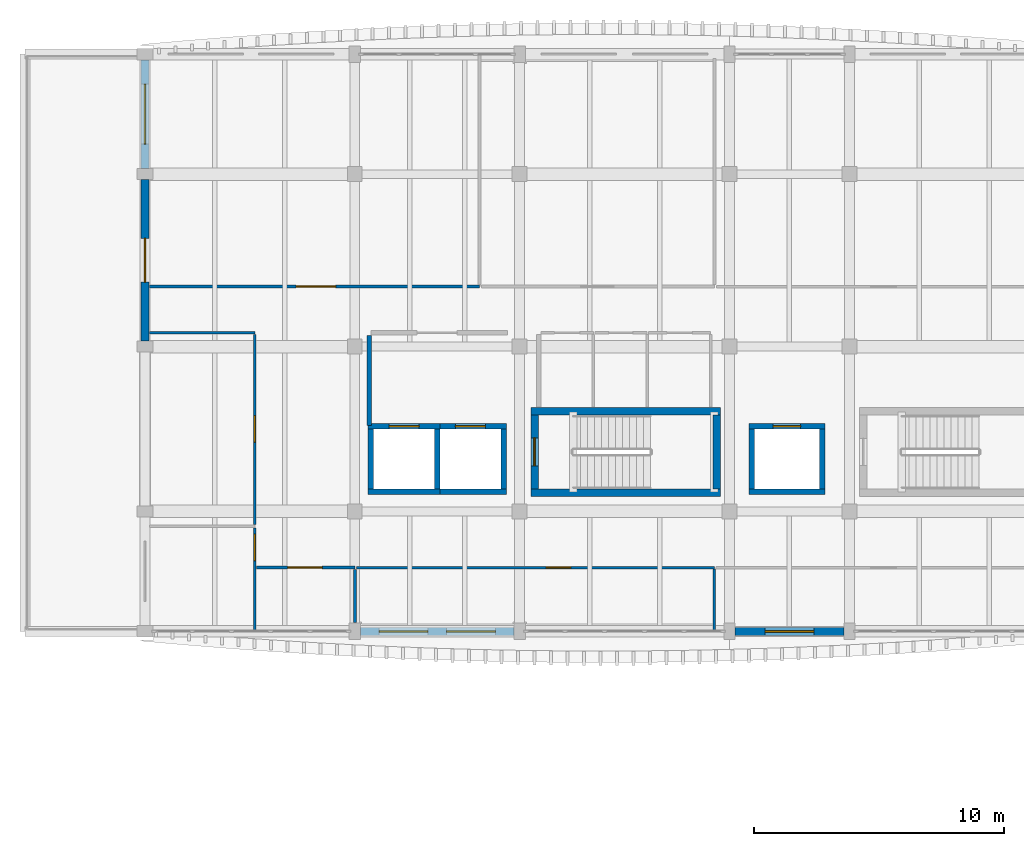
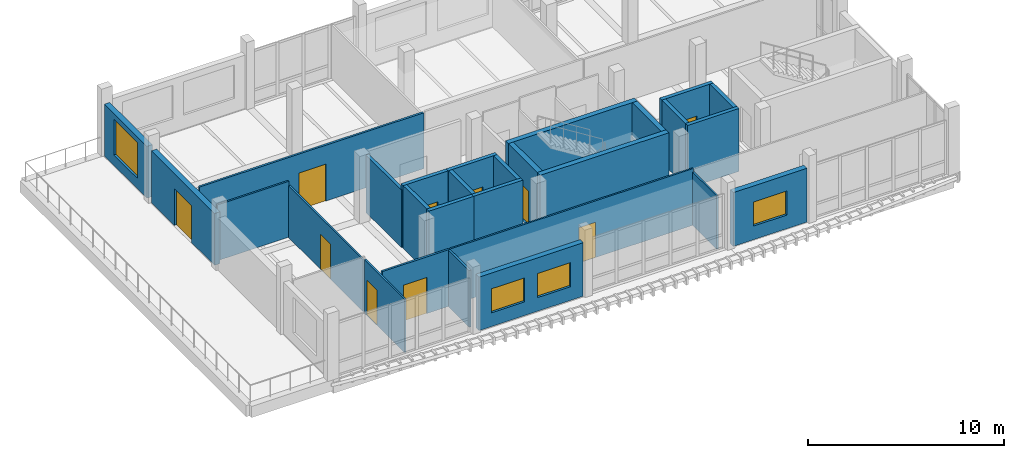
# One storey, part 10 of 20: 28 walls, 10 doors, 4 windows, 14 openings.
"""IFC4 building model written with IfcOpenShell, lengths in metres."""

from ifc_helpers import new_model, si_unit, direction, frame, frame_2d, origin, place, context, subcontext, project, spatial, rectangle, extrude, material, layer, layer_set, type_object, element, fill, save


model = new_model("IFC4")

# Units and contexts
model_context = context("Model", 3, precision=1e-05, world=origin(), true_north=direction((0.0, 1.0)))
body_context = subcontext(model_context, "Body", "Model", "MODEL_VIEW")
ifc_project = project(units=[si_unit("LENGTHUNIT", "METRE"), si_unit("AREAUNIT", "SQUARE_METRE"), si_unit("VOLUMEUNIT", "CUBIC_METRE"), si_unit("PLANEANGLEUNIT", "RADIAN"), si_unit("MASSUNIT", "GRAM", prefix="KILO")], contexts=[model_context])

# Site, building, storey
site_placement = place(None, origin())
site = spatial("IfcSite", under=ifc_project, at=site_placement, CompositionType="ELEMENT")
building_placement = place(site_placement, origin())
building = spatial("IfcBuilding", under=site, at=building_placement, Name="Dornvale Research Institute", CompositionType="ELEMENT")
storey_placement = place(building_placement, frame((0.0, 0.0, 34.199951171875)))
storey = spatial("IfcBuildingStorey", under=building, at=storey_placement, Name="L07", CompositionType="ELEMENT", Elevation=34.199951171875)

# Wall, opening, door
ifc_material_1 = material(Name="Acoustic Insulated Double-Stud Laboratory Partition")
ifc_layer_1 = layer(ifc_material_1, 0.1201171875)
ifc_layer_set_1 = layer_set([ifc_layer_1], Name="Acoustic Insulated Double-Stud Laboratory Partition")
wall_type_1 = type_object("IfcWallType", Name="Partition_Dry_120", PredefinedType="PARTITIONING", material=ifc_layer_set_1)
wall_1_placement = place(storey_placement, frame((4.97509765625, 112.800048828125, 0.0), z_axis=(0.0, 0.0, 1.0), x_axis=(1.0, 0.0, 0.0)))
wall_1 = element("IfcWall", 1, at=wall_1_placement, inside=storey, type_object=wall_type_1, Name="L07 V5 interior partition #548", PredefinedType="PARTITIONING", context=body_context, shape_type="SweptSolid", body=[
    extrude(rectangle(XDim=13.224853515625, YDim=0.1201171875, at=frame_2d((6.6123046875, 0.0))), origin(), (0.0, 0.0, 1.0), 3.47998046875),
])
opening_1_placement = place(wall_1_placement, frame((5.875, 0.0, 0.0)))
opening_1 = element("IfcOpeningElement", 2, at=opening_1_placement, cuts=wall_1, Name="Opening ID-18", PredefinedType="OPENING", context=body_context, shape_type="SweptSolid", body=[
    extrude(rectangle(XDim=1.580078125, YDim=2.300048828125, at=frame_2d((0.7900390625, 1.14990234375))), frame((0.0, 0.074951171875, 0.0), z_axis=(0.0, -1.0, 0.0), x_axis=(1.0, 0.0, 0.0)), (0.0, 0.0, 1.0), 0.150146484375),
])
ifc_material_2 = material(Name="Phenolic-Faced Solid-Core Laboratory Door Assembly")
door_type_1 = type_object("IfcDoorType", Name="Door_Collab_1580x2300", OperationType="SINGLE_SWING_LEFT", PredefinedType="DOOR", material=ifc_material_2)
door_1_placement = place(opening_1_placement, origin())
door_1 = element("IfcDoor", 3, at=door_1_placement, inside=storey, type_object=door_type_1, Name="L07 Botanical Observatory Terrace Lounge L07 door #226", OperationType="SINGLE_SWING_LEFT", OverallHeight=2.300048828125, OverallWidth=1.580078125, PredefinedType="DOOR", context=body_context, shape_type="SweptSolid", body=[
    extrude(rectangle(XDim=1.580078125, YDim=2.300048828125, at=frame_2d((0.7900390625, 1.14990234375))), frame((0.0, 0.02490234375, 0.0), z_axis=(0.0, -1.0, 0.0), x_axis=(1.0, 0.0, 0.0)), (0.0, 0.0, 1.0), 0.050048828125),
])
fill(opening_1, door_1)

wall_2_placement = place(storey_placement, frame((9.264892578125, 101.550048828125, 0.0), z_axis=(0.0, 0.0, 1.0), x_axis=(1.0, 0.0, 0.0)))
wall_2 = element("IfcWall", 4, at=wall_2_placement, inside=storey, type_object=wall_type_1, Name="L07 V5 interior partition #554", PredefinedType="PARTITIONING", context=body_context, shape_type="SweptSolid", body=[
    extrude(rectangle(XDim=3.93505859375, YDim=0.1201171875, at=frame_2d((1.967529296875, 0.0))), origin(), (0.0, 0.0, 1.0), 3.530029296875),
])
opening_2_placement = place(wall_2_placement, frame((1.2451171875, 0.0, 0.0)))
opening_2 = element("IfcOpeningElement", 5, at=opening_2_placement, cuts=wall_2, Name="Opening ID-08", PredefinedType="OPENING", context=body_context, shape_type="SweptSolid", body=[
    extrude(rectangle(XDim=1.3798828125, YDim=2.25, at=frame_2d((0.68994140625, 1.125))), frame((0.0, 0.074951171875, 0.0), z_axis=(0.0, -1.0, 0.0), x_axis=(1.0, 0.0, 0.0)), (0.0, 0.0, 1.0), 0.150146484375),
])
ifc_material_3 = material(Name="Insulated Fire-Rated Hollow Metal Door Assembly")
door_type_2 = type_object("IfcDoorType", Name="Door_DryLab_1380x2250", OperationType="SINGLE_SWING_LEFT", PredefinedType="DOOR", material=ifc_material_3)
door_2_placement = place(opening_2_placement, origin())
door_2 = element("IfcDoor", 6, at=door_2_placement, inside=storey, type_object=door_type_2, Name="L07 Hydrological Modelling Laboratory door #230", OperationType="SINGLE_SWING_LEFT", OverallHeight=2.25, OverallWidth=1.3798828125, PredefinedType="DOOR", context=body_context, shape_type="SweptSolid", body=[
    extrude(rectangle(XDim=1.3798828125, YDim=2.25, at=frame_2d((0.68994140625, 1.125))), frame((0.0, 0.02490234375, 0.0), z_axis=(0.0, -1.0, 0.0), x_axis=(1.0, 0.0, 0.0)), (0.0, 0.0, 1.0), 0.050048828125),
])
fill(opening_2, door_2)

# Walls
wall_3_placement = place(storey_placement, frame((13.199951171875, 99.344970703125, 0.0), z_axis=(0.0, 0.0, 1.0), x_axis=(0.0, 1.0, 0.0)))
element("IfcWall", 7, at=wall_3_placement, inside=storey, type_object=wall_type_1, Name="L07 V5 interior partition #555", PredefinedType="PARTITIONING", context=body_context, shape_type="SweptSolid", body=[
    extrude(rectangle(XDim=2.130126953125, YDim=0.1201171875, at=frame_2d((1.06494140625, 0.0))), origin(), (0.0, 0.0, 1.0), 3.530029296875),
])
ifc_material_4 = material(Name="Fire-Rated Gypsum Board on Cold-Formed Steel Studs", Category="steel")
ifc_layer_2 = layer(ifc_material_4, 0.179931640625)
ifc_layer_set_2 = layer_set([ifc_layer_2], Name="Fire-Rated Gypsum Board on Cold-Formed Steel Studs")
wall_type_2 = type_object("IfcWallType", Name="Partition_FireLobby_180", PredefinedType="PARTITIONING", material=ifc_layer_set_2)
wall_4_placement = place(storey_placement, frame((13.780029296875, 107.22998046875, 0.0), z_axis=(0.0, 0.0, 1.0), x_axis=(0.0, 1.0, 0.0)))
element("IfcWall", 8, at=wall_4_placement, inside=storey, type_object=wall_type_2, Name="L07 Fire Service Access Elevator Lobby west rated partition", PredefinedType="PARTITIONING", context=body_context, shape_type="SweptSolid", body=[
    extrude(rectangle(XDim=3.610107421875, YDim=0.179931640625, at=frame_2d((1.80517578125, 0.0))), origin(), (0.0, 0.0, 1.0), 3.580078125),
])
ifc_material_5 = material(Name="Acoustic Insulated Double-Stud Laboratory Partition")
ifc_layer_3 = layer(ifc_material_5, 0.10009765625)
ifc_layer_set_3 = layer_set([ifc_layer_3], Name="Acoustic Insulated Double-Stud Laboratory Partition")
wall_type_3 = type_object("IfcWallType", Name="Partition_Office_100", PredefinedType="PARTITIONING", material=ifc_layer_set_3)
wall_5_placement = place(storey_placement, frame((4.97509765625, 110.949951171875, 0.0), z_axis=(0.0, 0.0, 1.0), x_axis=(1.0, 0.0, 0.0)))
element("IfcWall", 9, at=wall_5_placement, inside=storey, type_object=wall_type_3, Name="L07 V5 interior partition #546", PredefinedType="PARTITIONING", context=body_context, shape_type="SweptSolid", body=[
    extrude(rectangle(XDim=4.224853515625, YDim=0.10009765625, at=frame_2d((2.1123046875, 0.0))), origin(), (0.0, 0.0, 1.0), 3.47998046875),
])

# Wall, opening, door
wall_6_placement = place(storey_placement, frame((9.199951171875, 103.264892578125, 0.0), z_axis=(0.0, 0.0, 1.0), x_axis=(0.0, 1.0, 0.0)))
wall_6 = element("IfcWall", 10, at=wall_6_placement, inside=storey, type_object=wall_type_3, Name="L07 V5 interior partition #547", PredefinedType="PARTITIONING", context=body_context, shape_type="SweptSolid", body=[
    extrude(rectangle(XDim=7.6201171875, YDim=0.10009765625, at=frame_2d((3.81005859375, 0.0))), origin(), (0.0, 0.0, 1.0), 3.22998046875),
])
opening_3_placement = place(wall_6_placement, frame((3.304931640625, 0.0, 0.0)))
opening_3 = element("IfcOpeningElement", 11, at=opening_3_placement, cuts=wall_6, Name="Opening ID-19", PredefinedType="OPENING", context=body_context, shape_type="SweptSolid", body=[
    extrude(rectangle(XDim=1.06005859375, YDim=2.199951171875, at=frame_2d((0.530029296875, 1.10009765625))), frame((0.0, 0.06494140625, 0.0), z_axis=(0.0, -1.0, 0.0), x_axis=(1.0, 0.0, 0.0)), (0.0, 0.0, 1.0), 0.130126953125),
])
ifc_material_6 = material(Name="Phenolic-Faced Solid-Core Laboratory Door Assembly")
door_type_3 = type_object("IfcDoorType", Name="Door_WriteUp_1060x2200", OperationType="SINGLE_SWING_LEFT", PredefinedType="DOOR", material=ifc_material_6)
door_3_placement = place(opening_3_placement, origin())
door_3 = element("IfcDoor", 12, at=door_3_placement, inside=storey, type_object=door_type_3, Name="L07 Geospatial Plotter and Map Studio L07 door #225", OperationType="SINGLE_SWING_RIGHT", OverallHeight=2.199951171875, OverallWidth=1.06005859375, PredefinedType="DOOR", context=body_context, shape_type="SweptSolid", body=[
    extrude(rectangle(XDim=1.06005859375, YDim=2.199951171875, at=frame_2d((0.530029296875, 1.10009765625))), frame((0.0, 0.02490234375, 0.0), z_axis=(0.0, -1.0, 0.0), x_axis=(1.0, 0.0, 0.0)), (0.0, 0.0, 1.0), 0.050048828125),
])
fill(opening_3, door_3)

wall_7_placement = place(storey_placement, frame((9.199951171875, 99.0400390625, 0.0), z_axis=(0.0, 0.0, 1.0), x_axis=(0.0, 1.0, 0.0)))
wall_7 = element("IfcWall", 13, at=wall_7_placement, inside=storey, type_object=wall_type_3, Name="L07 V5 interior partition #553", PredefinedType="PARTITIONING", context=body_context, shape_type="SweptSolid", body=[
    extrude(rectangle(XDim=4.094970703125, YDim=0.10009765625, at=frame_2d((2.04736328125, 0.0))), origin(), (0.0, 0.0, 1.0), 3.330078125),
])
opening_4_placement = place(wall_7_placement, frame((2.784912109375, 0.0, 0.0)))
opening_4 = element("IfcOpeningElement", 14, at=opening_4_placement, cuts=wall_7, Name="Opening ID-19", PredefinedType="OPENING", context=body_context, shape_type="SweptSolid", body=[
    extrude(rectangle(XDim=1.06005859375, YDim=2.199951171875, at=frame_2d((0.530029296875, 1.10009765625))), frame((0.0, 0.06494140625, 0.0), z_axis=(0.0, -1.0, 0.0), x_axis=(1.0, 0.0, 0.0)), (0.0, 0.0, 1.0), 0.130126953125),
])
door_4_placement = place(opening_4_placement, origin())
door_4 = element("IfcDoor", 15, at=door_4_placement, inside=storey, type_object=door_type_3, Name="L07 Research Instrument Study L07 door #229", OperationType="SINGLE_SWING_RIGHT", OverallHeight=2.199951171875, OverallWidth=1.06005859375, PredefinedType="DOOR", context=body_context, shape_type="SweptSolid", body=[
    extrude(rectangle(XDim=1.06005859375, YDim=2.199951171875, at=frame_2d((0.530029296875, 1.10009765625))), frame((0.0, 0.02490234375, 0.0), z_axis=(0.0, -1.0, 0.0), x_axis=(1.0, 0.0, 0.0)), (0.0, 0.0, 1.0), 0.050048828125),
])
fill(opening_4, door_4)

wall_8_placement = place(storey_placement, frame((13.27490234375, 101.550048828125, 0.0), z_axis=(0.0, 0.0, 1.0), x_axis=(1.0, 0.0, 0.0)))
wall_8 = element("IfcWall", 16, at=wall_8_placement, inside=storey, type_object=wall_type_3, Name="L07 V5 interior partition #556", PredefinedType="PARTITIONING", context=body_context, shape_type="SweptSolid", body=[
    extrude(rectangle(XDim=14.3251953125, YDim=0.10009765625, at=frame_2d((7.16259765625, 0.0))), origin(), (0.0, 0.0, 1.0), 3.530029296875),
])
opening_5_placement = place(wall_8_placement, frame((7.5849609375, 0.0, 0.0)))
opening_5 = element("IfcOpeningElement", 17, at=opening_5_placement, cuts=wall_8, Name="Opening ID-21", PredefinedType="OPENING", context=body_context, shape_type="SweptSolid", body=[
    extrude(rectangle(XDim=0.97998046875, YDim=2.199951171875, at=frame_2d((0.489990234375, 1.10009765625))), frame((0.0, 0.06494140625, 0.0), z_axis=(0.0, -1.0, 0.0), x_axis=(1.0, 0.0, 0.0)), (0.0, 0.0, 1.0), 0.130126953125),
])
ifc_material_7 = material(Name="Phenolic-Faced Solid-Core Laboratory Door Assembly")
door_type_4 = type_object("IfcDoorType", Name="Door_Office_980x2200", OperationType="SINGLE_SWING_LEFT", PredefinedType="DOOR", material=ifc_material_7)
door_5_placement = place(opening_5_placement, origin())
door_5 = element("IfcDoor", 18, at=door_5_placement, inside=storey, type_object=door_type_4, Name="L07 Principal Investigator Office L07 door #231", OperationType="SINGLE_SWING_RIGHT", OverallHeight=2.199951171875, OverallWidth=0.97998046875, PredefinedType="DOOR", context=body_context, shape_type="SweptSolid", body=[
    extrude(rectangle(XDim=0.97998046875, YDim=2.199951171875, at=frame_2d((0.489990234375, 1.10009765625))), frame((0.0, 0.02490234375, 0.0), z_axis=(0.0, -1.0, 0.0), x_axis=(1.0, 0.0, 0.0)), (0.0, 0.0, 1.0), 0.050048828125),
])
fill(opening_5, door_5)

# Walls
wall_9_placement = place(storey_placement, frame((27.60009765625, 99.0400390625, 0.0), z_axis=(0.0, 0.0, 1.0), x_axis=(0.0, 1.0, 0.0)))
element("IfcWall", 19, at=wall_9_placement, inside=storey, type_object=wall_type_3, Name="L07 V5 interior partition #557", PredefinedType="PARTITIONING", context=body_context, shape_type="SweptSolid", body=[
    extrude(rectangle(XDim=2.445068359375, YDim=0.10009765625, at=frame_2d((1.22265625, 0.0))), origin(), (0.0, 0.0, 1.0), 3.330078125),
])
ifc_material_8 = material(Name="Concrete f'c 50 MPa (C40/50)", Category="concrete")
ifc_layer_4 = layer(ifc_material_8, 0.300048828125)
ifc_layer_set_4 = layer_set([ifc_layer_4], Name="Concrete f'c 50 MPa (C40/50)")
wall_type_4 = type_object("IfcWallType", Name="ShearWall_Core_300", PredefinedType="SHEAR", material=ifc_layer_set_4)
for number, where, z_axis, x_axis, name in (
    (20, (20.25, 104.550048828125, 0.0), (0.0, 0.0, 1.0), (1.0, 0.0, 0.0), "L07 ST-1 shaft shear wall south"),
    (21, (20.25, 107.81005859375, 0.0), (0.0, 0.0, 1.0), (1.0, 0.0, 0.0), "L07 ST-1 shaft shear wall north"),
):
    element("IfcWall", number, at=place(storey_placement, frame(where, z_axis=z_axis, x_axis=x_axis)), inside=storey, type_object=wall_type_4, Name=name, PredefinedType="SHEAR", context=body_context, shape_type="SweptSolid", body=[
        extrude(rectangle(XDim=7.60009765625, YDim=0.300048828125, at=frame_2d((3.800048828125, 0.0))), origin(), (0.0, 0.0, 1.0), 3.920166015625),
    ])

# Wall, opening, door
wall_10_placement = place(storey_placement, frame((20.39990234375, 104.699951171875, 0.0), z_axis=(0.0, 0.0, 1.0), x_axis=(0.0, 1.0, 0.0)))
wall_10 = element("IfcWall", 22, at=wall_10_placement, inside=storey, type_object=wall_type_4, Name="L07 ST-1 shaft shear wall west", PredefinedType="SHEAR", context=body_context, shape_type="SweptSolid", body=[
    extrude(rectangle(XDim=2.9599609375, YDim=0.300048828125, at=frame_2d((1.47998046875, 0.0))), origin(), (0.0, 0.0, 1.0), 3.920166015625),
])
opening_6_placement = place(wall_10_placement, frame((0.919921875, 0.0, 0.0)))
opening_6 = element("IfcOpeningElement", 23, at=opening_6_placement, cuts=wall_10, Name="Opening SD-01", PredefinedType="OPENING", context=body_context, shape_type="SweptSolid", body=[
    extrude(rectangle(XDim=1.1201171875, YDim=2.199951171875, at=frame_2d((0.56005859375, 1.10009765625))), frame((0.0, 0.1650390625, 0.0), z_axis=(0.0, -1.0, 0.0), x_axis=(1.0, 0.0, 0.0)), (0.0, 0.0, 1.0), 0.330078125),
])
ifc_material_9 = material(Name="Insulated Fire-Rated Hollow Metal Door Assembly")
door_type_5 = type_object("IfcDoorType", Name="Door_Stair_1120x2200", OperationType="SINGLE_SWING_LEFT", PredefinedType="DOOR", material=ifc_material_9)
door_6_placement = place(opening_6_placement, origin())
door_6 = element("IfcDoor", 24, at=door_6_placement, inside=storey, type_object=door_type_5, Name="L07 ST-1 exit stair door #9", OperationType="SINGLE_SWING_LEFT", OverallHeight=2.199951171875, OverallWidth=1.1201171875, PredefinedType="DOOR", context=body_context, shape_type="SweptSolid", body=[
    extrude(rectangle(XDim=1.1201171875, YDim=2.199951171875, at=frame_2d((0.56005859375, 1.10009765625))), frame((0.0, 0.02490234375, 0.0), z_axis=(0.0, -1.0, 0.0), x_axis=(1.0, 0.0, 0.0)), (0.0, 0.0, 1.0), 0.050048828125),
])
fill(opening_6, door_6)

# Walls
wall_11_placement = place(storey_placement, frame((27.699951171875, 104.699951171875, 0.0), z_axis=(0.0, 0.0, 1.0), x_axis=(0.0, 1.0, 0.0)))
element("IfcWall", 25, at=wall_11_placement, inside=storey, type_object=wall_type_4, Name="L07 ST-1 shaft shear wall east", PredefinedType="SHEAR", context=body_context, shape_type="SweptSolid", body=[
    extrude(rectangle(XDim=2.9599609375, YDim=0.300048828125, at=frame_2d((1.47998046875, 0.0))), origin(), (0.0, 0.0, 1.0), 3.920166015625),
])
ifc_material_10 = material(Name="Concrete f'c 45 MPa (C35/45)", Category="concrete")
ifc_layer_5 = layer(ifc_material_10, 0.219970703125)
ifc_layer_set_5 = layer_set([ifc_layer_5], Name="Concrete f'c 45 MPa (C35/45)")
wall_type_5 = type_object("IfcWallType", Name="ShearWall_Shaft_220", PredefinedType="SHEAR", material=ifc_layer_set_5)
wall_12_placement = place(storey_placement, frame((13.72998046875, 104.590087890625, 0.0), z_axis=(0.0, 0.0, 1.0), x_axis=(1.0, 0.0, 0.0)))
element("IfcWall", 26, at=wall_12_placement, inside=storey, type_object=wall_type_5, Name="L07 FS1 elevator shaft wall south", PredefinedType="SHEAR", context=body_context, shape_type="SweptSolid", body=[
    extrude(rectangle(XDim=2.89013671875, YDim=0.219970703125, at=frame_2d((1.445068359375, 0.0))), origin(), (0.0, 0.0, 1.0), 3.920166015625),
])

# Wall, opening, door
wall_13_placement = place(storey_placement, frame((13.72998046875, 107.2099609375, 0.0), z_axis=(0.0, 0.0, 1.0), x_axis=(1.0, 0.0, 0.0)))
wall_13 = element("IfcWall", 27, at=wall_13_placement, inside=storey, type_object=wall_type_5, Name="L07 FS1 elevator shaft wall north", PredefinedType="SHEAR", context=body_context, shape_type="SweptSolid", body=[
    extrude(rectangle(XDim=2.89013671875, YDim=0.219970703125, at=frame_2d((1.445068359375, 0.0))), origin(), (0.0, 0.0, 1.0), 3.920166015625),
])
opening_7_placement = place(wall_13_placement, frame((0.844970703125, 0.0, 0.0)))
opening_7 = element("IfcOpeningElement", 28, at=opening_7_placement, cuts=wall_13, Name="Opening LD-01", PredefinedType="OPENING", context=body_context, shape_type="SweptSolid", body=[
    extrude(rectangle(XDim=1.199951171875, YDim=2.199951171875, at=frame_2d((0.60009765625, 1.10009765625))), frame((0.0, 0.125, 0.0), z_axis=(0.0, -1.0, 0.0), x_axis=(1.0, 0.0, 0.0)), (0.0, 0.0, 1.0), 0.25),
])
ifc_material_11 = material(Name="Brushed Stainless Steel Sliding Elevator Landing Door", Category="steel")
door_type_6 = type_object("IfcDoorType", Name="Door_LiftLanding_FSAE_1200x2200", OperationType="SINGLE_SWING_LEFT", PredefinedType="DOOR", material=ifc_material_11)
door_7_placement = place(opening_7_placement, origin())
door_7 = element("IfcDoor", 29, at=door_7_placement, inside=storey, type_object=door_type_6, Name="L07 FS1 sliding elevator landing door #9", OperationType="DOUBLE_DOOR_SLIDING", OverallHeight=2.199951171875, OverallWidth=1.199951171875, PredefinedType="DOOR", context=body_context, shape_type="SweptSolid", body=[
    extrude(rectangle(XDim=1.199951171875, YDim=2.199951171875, at=frame_2d((0.60009765625, 1.10009765625))), frame((0.0, 0.02490234375, 0.0), z_axis=(0.0, -1.0, 0.0), x_axis=(1.0, 0.0, 0.0)), (0.0, 0.0, 1.0), 0.050048828125),
])
fill(opening_7, door_7)

# Walls
for number, where, z_axis, x_axis, name in (
    (30, (13.840087890625, 104.699951171875, 0.0), (0.0, 0.0, 1.0), (0.0, 1.0, 0.0), "L07 FS1 elevator shaft wall west"),
    (31, (16.510009765625, 104.699951171875, 0.0), (0.0, 0.0, 1.0), (0.0, 1.0, 0.0), "L07 FS1 elevator shaft wall east"),
):
    element("IfcWall", number, at=place(storey_placement, frame(where, z_axis=z_axis, x_axis=x_axis)), inside=storey, type_object=wall_type_5, Name=name, PredefinedType="SHEAR", context=body_context, shape_type="SweptSolid", body=[
        extrude(rectangle(XDim=2.400146484375, YDim=0.219970703125, at=frame_2d((1.2001953125, 0.0))), origin(), (0.0, 0.0, 1.0), 3.920166015625),
    ])
wall_14_placement = place(storey_placement, frame((16.3798828125, 104.590087890625, 0.0), z_axis=(0.0, 0.0, 1.0), x_axis=(1.0, 0.0, 0.0)))
element("IfcWall", 32, at=wall_14_placement, inside=storey, type_object=wall_type_5, Name="L07 FS2 elevator shaft wall south", PredefinedType="SHEAR", context=body_context, shape_type="SweptSolid", body=[
    extrude(rectangle(XDim=2.89013671875, YDim=0.219970703125, at=frame_2d((1.445068359375, 0.0))), origin(), (0.0, 0.0, 1.0), 3.920166015625),
])

# Wall, opening, door
wall_15_placement = place(storey_placement, frame((16.3798828125, 107.2099609375, 0.0), z_axis=(0.0, 0.0, 1.0), x_axis=(1.0, 0.0, 0.0)))
wall_15 = element("IfcWall", 33, at=wall_15_placement, inside=storey, type_object=wall_type_5, Name="L07 FS2 elevator shaft wall north", PredefinedType="SHEAR", context=body_context, shape_type="SweptSolid", body=[
    extrude(rectangle(XDim=2.89013671875, YDim=0.219970703125, at=frame_2d((1.445068359375, 0.0))), origin(), (0.0, 0.0, 1.0), 3.920166015625),
])
opening_8_placement = place(wall_15_placement, frame((0.844970703125, 0.0, 0.0)))
opening_8 = element("IfcOpeningElement", 34, at=opening_8_placement, cuts=wall_15, Name="Opening LD-01", PredefinedType="OPENING", context=body_context, shape_type="SweptSolid", body=[
    extrude(rectangle(XDim=1.199951171875, YDim=2.199951171875, at=frame_2d((0.60009765625, 1.10009765625))), frame((0.0, 0.125, 0.0), z_axis=(0.0, -1.0, 0.0), x_axis=(1.0, 0.0, 0.0)), (0.0, 0.0, 1.0), 0.25),
])
door_8_placement = place(opening_8_placement, origin())
door_8 = element("IfcDoor", 35, at=door_8_placement, inside=storey, type_object=door_type_6, Name="L07 FS2 sliding elevator landing door #21", OperationType="DOUBLE_DOOR_SLIDING", OverallHeight=2.199951171875, OverallWidth=1.199951171875, PredefinedType="DOOR", context=body_context, shape_type="SweptSolid", body=[
    extrude(rectangle(XDim=1.199951171875, YDim=2.199951171875, at=frame_2d((0.60009765625, 1.10009765625))), frame((0.0, 0.02490234375, 0.0), z_axis=(0.0, -1.0, 0.0), x_axis=(1.0, 0.0, 0.0)), (0.0, 0.0, 1.0), 0.050048828125),
])
fill(opening_8, door_8)

# Walls
wall_16_placement = place(storey_placement, frame((19.159912109375, 104.699951171875, 0.0), z_axis=(0.0, 0.0, 1.0), x_axis=(0.0, 1.0, 0.0)))
element("IfcWall", 36, at=wall_16_placement, inside=storey, type_object=wall_type_5, Name="L07 FS2 elevator shaft wall east", PredefinedType="SHEAR", context=body_context, shape_type="SweptSolid", body=[
    extrude(rectangle(XDim=2.400146484375, YDim=0.219970703125, at=frame_2d((1.2001953125, 0.0))), origin(), (0.0, 0.0, 1.0), 3.920166015625),
])
wall_17_placement = place(storey_placement, frame((28.97998046875, 104.590087890625, 0.0), z_axis=(0.0, 0.0, 1.0), x_axis=(1.0, 0.0, 0.0)))
element("IfcWall", 37, at=wall_17_placement, inside=storey, type_object=wall_type_5, Name="L07 LP1 elevator shaft wall south", PredefinedType="SHEAR", context=body_context, shape_type="SweptSolid", body=[
    extrude(rectangle(XDim=3.0400390625, YDim=0.219970703125, at=frame_2d((1.52001953125, 0.0))), origin(), (0.0, 0.0, 1.0), 3.920166015625),
])

# Wall, opening, door
wall_18_placement = place(storey_placement, frame((28.97998046875, 107.2099609375, 0.0), z_axis=(0.0, 0.0, 1.0), x_axis=(1.0, 0.0, 0.0)))
wall_18 = element("IfcWall", 38, at=wall_18_placement, inside=storey, type_object=wall_type_5, Name="L07 LP1 elevator shaft wall north", PredefinedType="SHEAR", context=body_context, shape_type="SweptSolid", body=[
    extrude(rectangle(XDim=3.0400390625, YDim=0.219970703125, at=frame_2d((1.52001953125, 0.0))), origin(), (0.0, 0.0, 1.0), 3.920166015625),
])
opening_9_placement = place(wall_18_placement, frame((0.969970703125, 0.0, 0.0)))
opening_9 = element("IfcOpeningElement", 39, at=opening_9_placement, cuts=wall_18, Name="Opening LD-02", PredefinedType="OPENING", context=body_context, shape_type="SweptSolid", body=[
    extrude(rectangle(XDim=1.10009765625, YDim=2.199951171875, at=frame_2d((0.550048828125, 1.10009765625))), frame((0.0, 0.125, 0.0), z_axis=(0.0, -1.0, 0.0), x_axis=(1.0, 0.0, 0.0)), (0.0, 0.0, 1.0), 0.25),
])
ifc_material_12 = material(Name="Brushed Stainless Steel Sliding Elevator Landing Door", Category="steel")
door_type_7 = type_object("IfcDoorType", Name="Door_LiftLanding_Pass_1100x2200", OperationType="SINGLE_SWING_LEFT", PredefinedType="DOOR", material=ifc_material_12)
door_9_placement = place(opening_9_placement, origin())
door_9 = element("IfcDoor", 40, at=door_9_placement, inside=storey, type_object=door_type_7, Name="L07 LP1 sliding elevator landing door #33", OperationType="SLIDING_TO_LEFT", OverallHeight=2.199951171875, OverallWidth=1.10009765625, PredefinedType="DOOR", context=body_context, shape_type="SweptSolid", body=[
    extrude(rectangle(XDim=1.10009765625, YDim=2.199951171875, at=frame_2d((0.550048828125, 1.10009765625))), frame((0.0, 0.02490234375, 0.0), z_axis=(0.0, -1.0, 0.0), x_axis=(1.0, 0.0, 0.0)), (0.0, 0.0, 1.0), 0.050048828125),
])
fill(opening_9, door_9)

# Walls
for number, where, z_axis, x_axis, name in (
    (41, (29.090087890625, 104.699951171875, 0.0), (0.0, 0.0, 1.0), (0.0, 1.0, 0.0), "L07 LP1 elevator shaft wall west"),
    (42, (31.909912109375, 104.699951171875, 0.0), (0.0, 0.0, 1.0), (0.0, 1.0, 0.0), "L07 LP1 elevator shaft wall east"),
):
    element("IfcWall", number, at=place(storey_placement, frame(where, z_axis=z_axis, x_axis=x_axis)), inside=storey, type_object=wall_type_5, Name=name, PredefinedType="SHEAR", context=body_context, shape_type="SweptSolid", body=[
        extrude(rectangle(XDim=2.400146484375, YDim=0.219970703125, at=frame_2d((1.2001953125, 0.0))), origin(), (0.0, 0.0, 1.0), 3.920166015625),
    ])

# Wall, opening, door
ifc_material_13 = material(Name="Catalan Pressed Brick and Insulated Cavity Assembly", Category="masonry")
ifc_layer_6 = layer(ifc_material_13, 0.320068359375)
ifc_layer_set_6 = layer_set([ifc_layer_6], Name="Catalan Pressed Brick and Insulated Cavity Assembly")
wall_type_6 = type_object("IfcWallType", Name="StandardWall_BrickCavity_320", PredefinedType="STANDARD", material=ifc_layer_set_6)
wall_19_placement = place(storey_placement, frame((4.800048828125, 110.625, 0.0), z_axis=(0.0, 0.0, 1.0), x_axis=(0.0, 1.0, 0.0)))
wall_19 = element("IfcWall", 43, at=wall_19_placement, inside=storey, type_object=wall_type_6, Name="L07 V5 west exterior wall #383", PredefinedType="STANDARD", context=body_context, shape_type="SweptSolid", body=[
    extrude(rectangle(XDim=6.449951171875, YDim=0.320068359375, at=frame_2d((3.22509765625, 0.0))), origin(), (0.0, 0.0, 1.0), 3.22998046875),
])
opening_10_placement = place(wall_19_placement, frame((2.35009765625, 0.0, 0.0)))
opening_10 = element("IfcOpeningElement", 44, at=opening_10_placement, cuts=wall_19, Name="Opening TD-02", PredefinedType="OPENING", context=body_context, shape_type="SweptSolid", body=[
    extrude(rectangle(XDim=1.75, YDim=2.300048828125, at=frame_2d((0.875, 1.14990234375))), frame((0.0, 0.175048828125, 0.0), z_axis=(0.0, -1.0, 0.0), x_axis=(1.0, 0.0, 0.0)), (0.0, 0.0, 1.0), 0.35009765625),
])
ifc_material_14 = material(Name="Galvanized Hollow Metal Insulated Door Assembly")
door_type_8 = type_object("IfcDoorType", Name="Door_TerraceGlazed_1750x2300", OperationType="SINGLE_SWING_LEFT", PredefinedType="DOOR", material=ifc_material_14)
door_10_placement = place(opening_10_placement, origin())
door_10 = element("IfcDoor", 45, at=door_10_placement, inside=storey, type_object=door_type_8, Name="L07 V5 terrace door TD-02 #35", OperationType="DOUBLE_DOOR_SINGLE_SWING", OverallHeight=2.300048828125, OverallWidth=1.75, PredefinedType="DOOR", context=body_context, shape_type="SweptSolid", body=[
    extrude(rectangle(XDim=1.75, YDim=2.300048828125, at=frame_2d((0.875, 1.14990234375))), frame((0.0, 0.02490234375, 0.0), z_axis=(0.0, -1.0, 0.0), x_axis=(1.0, 0.0, 0.0)), (0.0, 0.0, 1.0), 0.050048828125),
])
fill(opening_10, door_10)

# Wall, opening, window
wall_20_placement = place(storey_placement, frame((4.800048828125, 117.52490234375, 0.0), z_axis=(0.0, 0.0, 1.0), x_axis=(0.0, 1.0, 0.0)))
wall_20 = element("IfcWall", 46, at=wall_20_placement, inside=storey, type_object=wall_type_6, Name="L07 V5 west exterior wall #384", PredefinedType="STANDARD", context=body_context, shape_type="SweptSolid", body=[
    extrude(rectangle(XDim=4.35009765625, YDim=0.320068359375, at=frame_2d((2.175048828125, 0.0))), origin(), (0.0, 0.0, 1.0), 3.22998046875),
])
opening_11_placement = place(wall_20_placement, frame((0.97509765625, 0.0, 0.64990234375)))
opening_11 = element("IfcOpeningElement", 47, at=opening_11_placement, cuts=wall_20, Name="Opening W-45", PredefinedType="OPENING", context=body_context, shape_type="SweptSolid", body=[
    extrude(rectangle(XDim=2.39990234375, YDim=2.239990234375, at=frame_2d((1.199951171875, 1.1201171875))), frame((0.0, 0.175048828125, 0.0), z_axis=(0.0, -1.0, 0.0), x_axis=(1.0, 0.0, 0.0)), (0.0, 0.0, 1.0), 0.35009765625),
])
ifc_material_15 = material(Name="Low-E Argon Double Insulating Glazing Unit", Category="glass")
window_type_1 = type_object("IfcWindowType", Name="Window_Alu_2400x2240_45", PartitioningType="DOUBLE_PANEL_VERTICAL", PredefinedType="WINDOW", material=ifc_material_15)
window_1_placement = place(opening_11_placement, origin())
window_1 = element("IfcWindow", 48, at=window_1_placement, inside=storey, type_object=window_type_1, Name="L07 V5 facade window W-45 #508", OverallHeight=2.239990234375, OverallWidth=2.39990234375, PartitioningType="DOUBLE_PANEL_VERTICAL", PredefinedType="WINDOW", context=body_context, shape_type="SweptSolid", body=[
    extrude(rectangle(XDim=2.39990234375, YDim=2.239990234375, at=frame_2d((1.199951171875, 1.1201171875))), frame((0.0, 0.030029296875, 0.0), z_axis=(0.0, -1.0, 0.0), x_axis=(1.0, 0.0, 0.0)), (0.0, 0.0, 1.0), 0.06005859375),
])
fill(opening_11, window_1)

wall_21_placement = place(storey_placement, frame((32.77490234375, 99.0, 0.0), z_axis=(0.0, 0.0, 1.0), x_axis=(-1.0, 0.0, 0.0)))
wall_21 = element("IfcWall", 49, at=wall_21_placement, inside=storey, type_object=wall_type_6, Name="L07 V5 south exterior wall #390", PredefinedType="STANDARD", context=body_context, shape_type="SweptSolid", body=[
    extrude(rectangle(XDim=4.349853515625, YDim=0.320068359375, at=frame_2d((2.1748046875, 0.0))), origin(), (0.0, 0.0, 1.0), 3.35009765625),
])
opening_12_placement = place(wall_21_placement, frame((1.199951171875, 0.0, 0.85009765625)))
opening_12 = element("IfcOpeningElement", 50, at=opening_12_placement, cuts=wall_21, Name="Opening W-06", PredefinedType="OPENING", context=body_context, shape_type="SweptSolid", body=[
    extrude(rectangle(XDim=1.949951171875, YDim=1.5, at=frame_2d((0.97509765625, 0.75))), frame((0.0, 0.175048828125, 0.0), z_axis=(0.0, -1.0, 0.0), x_axis=(1.0, 0.0, 0.0)), (0.0, 0.0, 1.0), 0.35009765625),
])
ifc_material_16 = material(Name="Low-E Argon Double Insulating Glazing Unit", Category="glass")
window_type_2 = type_object("IfcWindowType", Name="Window_Alu_1950x1500_06", PartitioningType="DOUBLE_PANEL_VERTICAL", PredefinedType="WINDOW", material=ifc_material_16)
window_2_placement = place(opening_12_placement, origin())
window_2 = element("IfcWindow", 51, at=window_2_placement, inside=storey, type_object=window_type_2, Name="L07 V5 facade window W-06 #518", OverallHeight=1.5, OverallWidth=1.949951171875, PartitioningType="DOUBLE_PANEL_VERTICAL", PredefinedType="WINDOW", context=body_context, shape_type="SweptSolid", body=[
    extrude(rectangle(XDim=1.949951171875, YDim=1.5, at=frame_2d((0.97509765625, 0.75))), frame((0.0, 0.030029296875, 0.0), z_axis=(0.0, -1.0, 0.0), x_axis=(1.0, 0.0, 0.0)), (0.0, 0.0, 1.0), 0.06005859375),
])
fill(opening_12, window_2)

# Wall, openings, windows
wall_22_placement = place(storey_placement, frame((19.574951171875, 99.0, 0.0), z_axis=(0.0, 0.0, 1.0), x_axis=(-1.0, 0.0, 0.0)))
wall_22 = element("IfcWall", 52, at=wall_22_placement, inside=storey, type_object=wall_type_6, Name="L07 V5 south exterior wall #391", PredefinedType="STANDARD", context=body_context, shape_type="SweptSolid", body=[
    extrude(rectangle(XDim=6.14990234375, YDim=0.320068359375, at=frame_2d((3.074951171875, 0.0))), origin(), (0.0, 0.0, 1.0), 3.330078125),
])
opening_13_placement = place(wall_22_placement, frame((0.75, 0.0, 0.85009765625)))
opening_13 = element("IfcOpeningElement", 53, at=opening_13_placement, cuts=wall_22, Name="Opening W-06", PredefinedType="OPENING", context=body_context, shape_type="SweptSolid", body=[
    extrude(rectangle(XDim=1.949951171875, YDim=1.5, at=frame_2d((0.97509765625, 0.75))), frame((0.0, 0.175048828125, 0.0), z_axis=(0.0, -1.0, 0.0), x_axis=(1.0, 0.0, 0.0)), (0.0, 0.0, 1.0), 0.35009765625),
])
opening_14_placement = place(wall_22_placement, frame((3.449951171875, 0.0, 0.85009765625)))
opening_14 = element("IfcOpeningElement", 54, at=opening_14_placement, cuts=wall_22, Name="Opening W-06", PredefinedType="OPENING", context=body_context, shape_type="SweptSolid", body=[
    extrude(rectangle(XDim=1.949951171875, YDim=1.5, at=frame_2d((0.97509765625, 0.75))), frame((0.0, 0.175048828125, 0.0), z_axis=(0.0, -1.0, 0.0), x_axis=(1.0, 0.0, 0.0)), (0.0, 0.0, 1.0), 0.35009765625),
])
window_3_placement = place(opening_13_placement, origin())
window_3 = element("IfcWindow", 55, at=window_3_placement, inside=storey, type_object=window_type_2, Name="L07 V5 facade window W-06 #519", OverallHeight=1.5, OverallWidth=1.949951171875, PartitioningType="DOUBLE_PANEL_VERTICAL", PredefinedType="WINDOW", context=body_context, shape_type="SweptSolid", body=[
    extrude(rectangle(XDim=1.949951171875, YDim=1.5, at=frame_2d((0.97509765625, 0.75))), frame((0.0, 0.030029296875, 0.0), z_axis=(0.0, -1.0, 0.0), x_axis=(1.0, 0.0, 0.0)), (0.0, 0.0, 1.0), 0.06005859375),
])
fill(opening_13, window_3)
window_4_placement = place(opening_14_placement, origin())
window_4 = element("IfcWindow", 56, at=window_4_placement, inside=storey, type_object=window_type_2, Name="L07 V5 facade window W-06 #520", OverallHeight=1.5, OverallWidth=1.949951171875, PartitioningType="DOUBLE_PANEL_VERTICAL", PredefinedType="WINDOW", context=body_context, shape_type="SweptSolid", body=[
    extrude(rectangle(XDim=1.949951171875, YDim=1.5, at=frame_2d((0.97509765625, 0.75))), frame((0.0, 0.030029296875, 0.0), z_axis=(0.0, -1.0, 0.0), x_axis=(1.0, 0.0, 0.0)), (0.0, 0.0, 1.0), 0.06005859375),
])
fill(opening_14, window_4)

save(model, "model.ifc")
